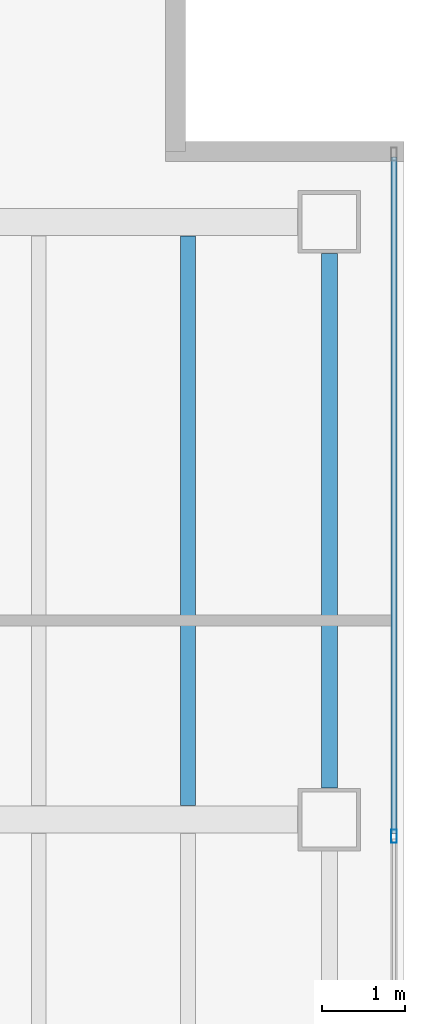
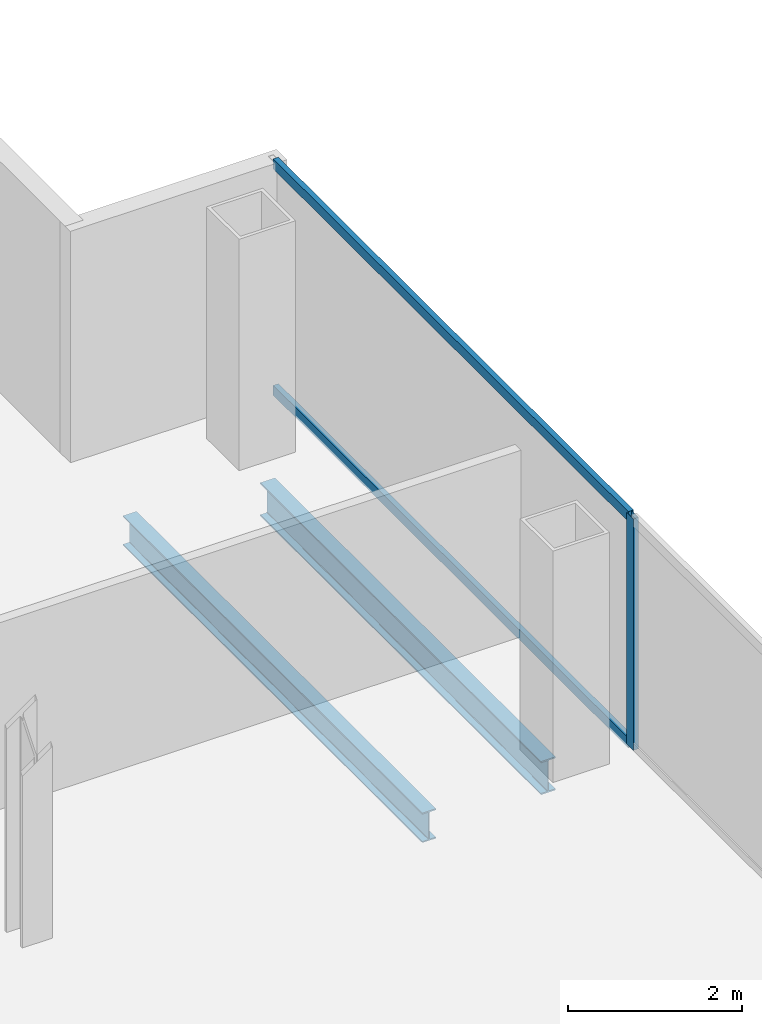
# One storey, part 14 of 23: 3 members, 2 beams, 1 element without a shape of its own.
"""IFC4 building model written with IfcOpenShell, lengths in metres."""

from ifc_helpers import new_model, si_unit, direction, frame, origin, origin_2d, place, context, subcontext, project, spatial, hollow_rectangle, i_section, extrude, material, material_profile, profile_set, type_object, element, aggregate, save


model = new_model("IFC4")

# Units and contexts
model_context = context("Model", 3, precision=1e-05, world=origin(), true_north=direction((0.0, 1.0)))
body_context = subcontext(model_context, "Body", "Model", "MODEL_VIEW")
ifc_project = project(units=[si_unit("LENGTHUNIT", "METRE"), si_unit("AREAUNIT", "SQUARE_METRE"), si_unit("VOLUMEUNIT", "CUBIC_METRE"), si_unit("PLANEANGLEUNIT", "RADIAN"), si_unit("MASSUNIT", "GRAM", prefix="KILO")], contexts=[model_context])

# Site, building, storey
site_placement = place(None, origin())
site = spatial("IfcSite", under=ifc_project, at=site_placement, CompositionType="ELEMENT")
building_placement = place(site_placement, origin())
building = spatial("IfcBuilding", under=site, at=building_placement, Name="Cobrela Telecom Tower", CompositionType="ELEMENT")
storey_placement = place(building_placement, frame((0.0, 0.0, 215.25)))
storey = spatial("IfcBuildingStorey", under=building, at=storey_placement, Name="L55", CompositionType="ELEMENT", Elevation=215.25)

# Beams
ifc_material_1 = material(Name="Steel ASTM A992 Grade 50", Category="steel")
ifc_material_profile_1 = material_profile(ifc_material_1, i_section(OverallWidth=0.179931640625, OverallDepth=0.4169921875, WebThickness=0.010986328125, FlangeThickness=0.01806640625, FilletRadius=0.011962890625, at=origin_2d()), Name="W16X57")
ifc_profile_set_1 = profile_set([ifc_material_profile_1], Name="Steel ASTM A992 Grade 50")
beam_type_1 = type_object("IfcBeamType", Name="BM-JOIST-04", PredefinedType="JOIST", material=ifc_profile_set_1)
beam_1_placement = place(storey_placement, frame((41.39990234375, 14.5673828125, -0.468505859375), z_axis=(0.0, 1.0, 0.0), x_axis=(-1.0, 0.0, 0.0)))
element("IfcBeam", 1, at=beam_1_placement, inside=storey, type_object=beam_type_1, Name="L55 Secondary Composite Floor Beam J30", PredefinedType="JOIST", context=body_context, shape_type="SweptSolid", body=[
    extrude(i_section(OverallWidth=0.179931640625, OverallDepth=0.4169921875, WebThickness=0.010986328125, FlangeThickness=0.01806640625, FilletRadius=0.011962890625, at=origin_2d()), origin(), (0.0, 0.0, 1.0), 6.865234375),
])
ifc_material_profile_2 = material_profile(ifc_material_1, i_section(OverallWidth=0.193115234375, OverallDepth=0.467041015625, WebThickness=0.011474609375, FlangeThickness=0.01904296875, FilletRadius=0.012939453125, at=origin_2d()), Name="W18X65")
ifc_profile_set_2 = profile_set([ifc_material_profile_2], Name="Steel ASTM A992 Grade 50")
beam_type_2 = type_object("IfcBeamType", Name="BM-SPAND-05", PredefinedType="SPANDREL", material=ifc_profile_set_2)
beam_2_placement = place(storey_placement, frame((43.10009765625, 14.780029296875, -0.493408203125), z_axis=(0.0, 1.0, 0.0), x_axis=(-1.0, 0.0, 0.0)))
element("IfcBeam", 2, at=beam_2_placement, inside=storey, type_object=beam_type_2, Name="L55 Perimeter Spandrel Y43", PredefinedType="SPANDREL", context=body_context, shape_type="SweptSolid", body=[
    extrude(i_section(OverallWidth=0.193115234375, OverallDepth=0.467041015625, WebThickness=0.011474609375, FlangeThickness=0.01904296875, FilletRadius=0.012939453125, at=origin_2d()), origin(), (0.0, 0.0, 1.0), 6.43994140625),
])

# Curtain wall, members
ifc_material_2 = material(Name="Anodized Bronze Aluminium 6063-T6", Category="aluminium")
curtain_wall_type = type_object("IfcCurtainWallType", Name="CW-SYS-OFF-LO", PredefinedType="USERDEFINED", material=ifc_material_2)
curtain_wall_placement = place(storey_placement, origin())
curtain_wall = element("IfcCurtainWall", 3, at=curtain_wall_placement, inside=storey, type_object=curtain_wall_type, Name="L55 Unitised Bronze Curtain Wall 14", ObjectType="UNITISED CURTAIN WALL", PredefinedType="USERDEFINED")
ifc_material_profile_3 = material_profile(ifc_material_2, hollow_rectangle(XDim=0.070068359375, YDim=0.159912109375, WallThickness=0.00390625, at=origin_2d()), Name="ALU 70x160x4")
ifc_profile_set_3 = profile_set([ifc_material_profile_3], Name="Anodized Bronze Aluminium 6063-T6")
member_type_1 = type_object("IfcMemberType", Name="CW-SYS-OFF-LO-MUL", PredefinedType="MULLION", material=ifc_profile_set_3)
member_1_placement = place(storey_placement, frame((43.8798828125, 14.199951171875, 0.0), z_axis=(0.0, 0.0, 1.0), x_axis=(1.0, 0.0, 0.0)))
member_1 = element("IfcMember", 4, at=member_1_placement, type_object=member_type_1, Name="CW-OFF-LO mullion 2", PredefinedType="MULLION", context=body_context, shape_type="SweptSolid", body=[
    extrude(hollow_rectangle(XDim=0.070068359375, YDim=0.159912109375, WallThickness=0.00390625, at=origin_2d()), origin(), (0.0, 0.0, 1.0), 3.239990234375),
])
ifc_material_profile_4 = material_profile(ifc_material_2, hollow_rectangle(XDim=0.070068359375, YDim=0.139892578125, WallThickness=0.00390625, at=origin_2d()), Name="ALU 70x140x4")
ifc_profile_set_4 = profile_set([ifc_material_profile_4], Name="Anodized Bronze Aluminium 6063-T6")
member_type_2 = type_object("IfcMemberType", Name="CW-SYS-OFF-LO-TRN", PredefinedType="USERDEFINED", material=ifc_profile_set_4)
member_2_placement = place(storey_placement, frame((43.8798828125, 22.3798828125, 0.034912109375), z_axis=(0.0, -1.0, 0.0), x_axis=(1.0, 0.0, 0.0)))
member_2 = element("IfcMember", 5, at=member_2_placement, type_object=member_type_2, Name="CW-OFF-LO transom 1.1", ObjectType="TRANSOM", PredefinedType="USERDEFINED", context=body_context, shape_type="SweptSolid", body=[
    extrude(hollow_rectangle(XDim=0.070068359375, YDim=0.139892578125, WallThickness=0.00390625, at=origin_2d()), origin(), (0.0, 0.0, 1.0), 8.144775390625),
])
member_3_placement = place(storey_placement, frame((43.8798828125, 22.3798828125, 3.205078125), z_axis=(0.0, -1.0, 0.0), x_axis=(1.0, 0.0, 0.0)))
member_3 = element("IfcMember", 6, at=member_3_placement, type_object=member_type_2, Name="CW-OFF-LO transom 1.2", ObjectType="TRANSOM", PredefinedType="USERDEFINED", context=body_context, shape_type="SweptSolid", body=[
    extrude(hollow_rectangle(XDim=0.070068359375, YDim=0.139892578125, WallThickness=0.00390625, at=origin_2d()), origin(), (0.0, 0.0, 1.0), 8.144775390625),
])
aggregate(curtain_wall, [member_1, member_2, member_3])

save(model, "model.ifc")
